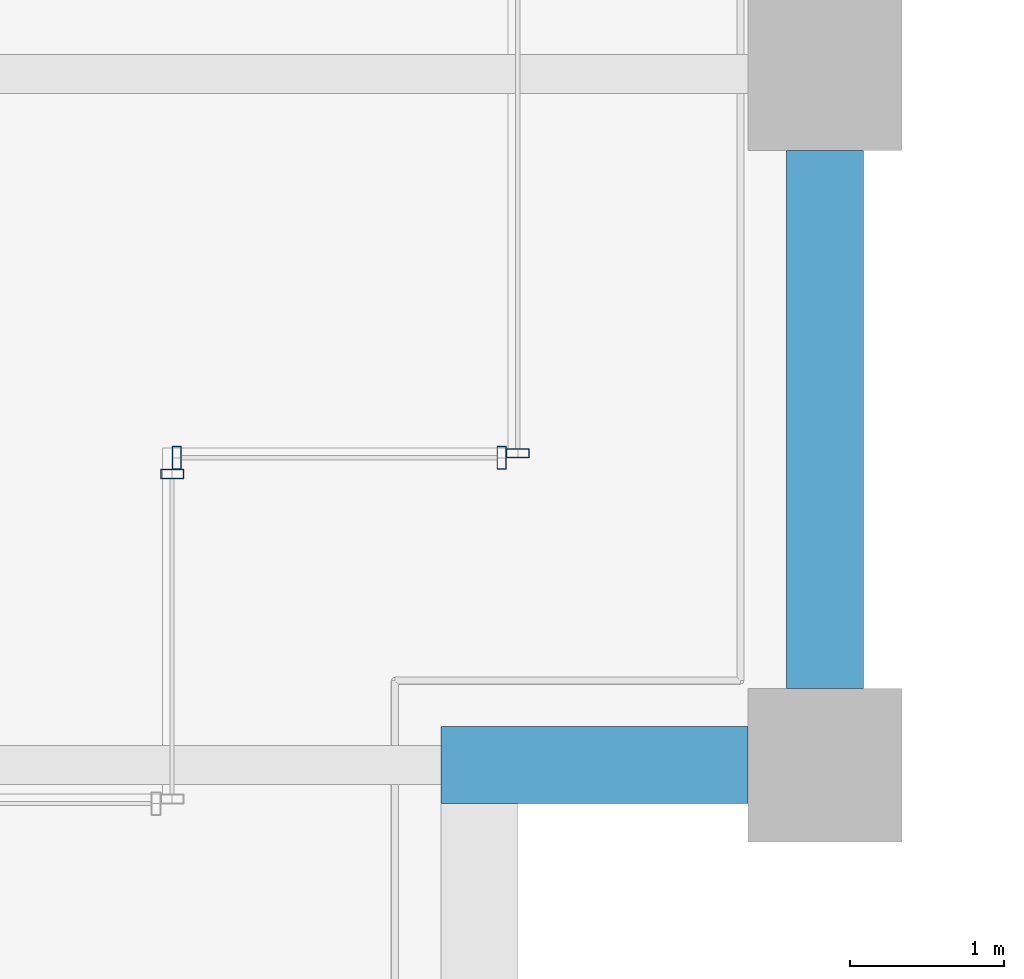
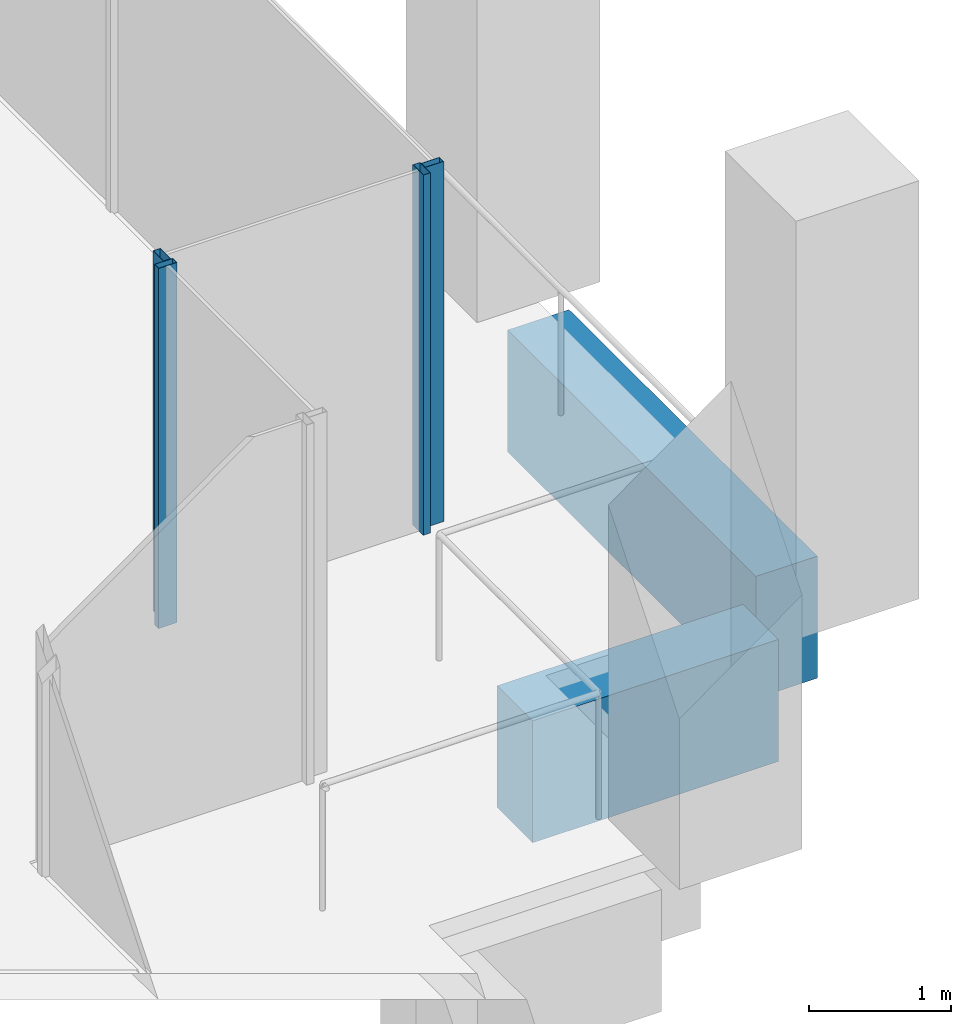
# One storey, part 13 of 45: 4 members, 2 beams, 3 elements without a shape of their own.
"""IFC4 building model written with IfcOpenShell, lengths in metres."""

from ifc_helpers import new_model, si_unit, direction, frame, origin, origin_2d, place, context, subcontext, project, spatial, rectangle, hollow_rectangle, extrude, material, material_profile, profile_set, type_object, element, aggregate, save


model = new_model("IFC4")

# Units and contexts
model_context = context("Model", 3, precision=1e-05, world=origin(), true_north=direction((0.0, 1.0)))
body_context = subcontext(model_context, "Body", "Model", "MODEL_VIEW")
ifc_project = project(units=[si_unit("LENGTHUNIT", "METRE"), si_unit("AREAUNIT", "SQUARE_METRE"), si_unit("VOLUMEUNIT", "CUBIC_METRE"), si_unit("PLANEANGLEUNIT", "RADIAN"), si_unit("MASSUNIT", "GRAM", prefix="KILO")], contexts=[model_context])

# Site, building, storey
site_placement = place(None, origin())
site = spatial("IfcSite", under=ifc_project, at=site_placement, CompositionType="ELEMENT")
building_placement = place(site_placement, origin())
building = spatial("IfcBuilding", under=site, at=building_placement, Name="Altepetl Exchange Towers", CompositionType="ELEMENT")
storey_placement = place(building_placement, frame((0.0, 0.0, 110.0)))
storey = spatial("IfcBuildingStorey", under=building, at=storey_placement, Name="L27", CompositionType="ELEMENT", Elevation=110.0)

# Curtain wall, member
ifc_material_1 = material(Name="Aluminium 6063-T6 glazing", Category="aluminium")
curtain_wall_type = type_object("IfcCurtainWallType", Name="Loggia glazing system", PredefinedType="NOTDEFINED", material=ifc_material_1)
curtain_wall_1_placement = place(storey_placement, origin())
curtain_wall_1 = element("IfcCurtainWall", 1, at=curtain_wall_1_placement, inside=storey, type_object=curtain_wall_type, Name="CW1 run", PredefinedType="NOTDEFINED")
ifc_material_2 = material(Name="Aluminium 6063-T6", Category="aluminium")
ifc_material_profile_1 = material_profile(ifc_material_2, hollow_rectangle(XDim=0.06005859375, YDim=0.14990234375, WallThickness=0.0029296875, at=origin_2d()), Name="Mullion 60x150 aluminium")
ifc_profile_set_1 = profile_set([ifc_material_profile_1], Name="Aluminium 6063-T6")
member_type = type_object("IfcMemberType", Name="Mullion 60x150 aluminium", PredefinedType="MULLION", material=ifc_profile_set_1)
member_1_placement = place(storey_placement, frame((67.75, 33.39501953125, 0.0), z_axis=(0.0, 0.0, 1.0), x_axis=(0.0, 1.0, 0.0)))
member_1 = element("IfcMember", 2, at=member_1_placement, type_object=member_type, Name="MU1 mullion", PredefinedType="MULLION", context=body_context, shape_type="SweptSolid", body=[
    extrude(hollow_rectangle(XDim=0.06005859375, YDim=0.14990234375, WallThickness=0.0029296875, at=origin_2d()), origin(), (0.0, 0.0, 1.0), 3.10009765625),
])
aggregate(curtain_wall_1, [member_1])

# Curtain wall, members
curtain_wall_2_placement = place(storey_placement, origin())
curtain_wall_2 = element("IfcCurtainWall", 3, at=curtain_wall_2_placement, inside=storey, type_object=curtain_wall_type, Name="CW1 run", PredefinedType="NOTDEFINED")
member_2_placement = place(storey_placement, frame((67.780029296875, 33.5, 0.0)))
member_2 = element("IfcMember", 4, at=member_2_placement, type_object=member_type, Name="MU1 mullion", PredefinedType="MULLION", context=body_context, shape_type="SweptSolid", body=[
    extrude(hollow_rectangle(XDim=0.06005859375, YDim=0.14990234375, WallThickness=0.0029296875, at=origin_2d()), origin(), (0.0, 0.0, 1.0), 3.10009765625),
])
member_3_placement = place(storey_placement, frame((69.89501953125, 33.5, 0.0)))
member_3 = element("IfcMember", 5, at=member_3_placement, type_object=member_type, Name="MU1 mullion", PredefinedType="MULLION", context=body_context, shape_type="SweptSolid", body=[
    extrude(hollow_rectangle(XDim=0.06005859375, YDim=0.14990234375, WallThickness=0.0029296875, at=origin_2d()), origin(), (0.0, 0.0, 1.0), 3.10009765625),
])
aggregate(curtain_wall_2, [member_2, member_3])

# Curtain wall, member
curtain_wall_3_placement = place(storey_placement, origin())
curtain_wall_3 = element("IfcCurtainWall", 6, at=curtain_wall_3_placement, inside=storey, type_object=curtain_wall_type, Name="CW1 run", PredefinedType="NOTDEFINED")
member_4_placement = place(storey_placement, frame((70.0, 33.530029296875, 0.0), z_axis=(0.0, 0.0, 1.0), x_axis=(0.0, 1.0, 0.0)))
member_4 = element("IfcMember", 7, at=member_4_placement, type_object=member_type, Name="MU1 mullion", PredefinedType="MULLION", context=body_context, shape_type="SweptSolid", body=[
    extrude(hollow_rectangle(XDim=0.06005859375, YDim=0.14990234375, WallThickness=0.0029296875, at=origin_2d()), origin(), (0.0, 0.0, 1.0), 3.10009765625),
])
aggregate(curtain_wall_3, [member_4])

# Beams
ifc_material_3 = material(Name="Concrete C50/60 precast with cantera amarilla facing", Category="concrete")
ifc_material_profile_2 = material_profile(ifc_material_3, rectangle(XDim=0.5, YDim=1.050048828125, at=origin_2d()), Name="500 x 1050")
ifc_profile_set_2 = profile_set([ifc_material_profile_2], Name="Concrete C50/60 precast with cantera amarilla facing")
beam_type = type_object("IfcBeamType", Name="Spandrel beam 500x1050 cantera amarilla", PredefinedType="SPANDREL", material=ifc_profile_set_2)
beam_1_placement = place(storey_placement, frame((69.5, 31.5, -0.675048828125), z_axis=(1.0, 0.0, 0.0), x_axis=(0.0, 1.0, 0.0)))
element("IfcBeam", 8, at=beam_1_placement, inside=storey, type_object=beam_type, Name="sp:A:L27:011", PredefinedType="SPANDREL", context=body_context, shape_type="SweptSolid", body=[
    extrude(rectangle(XDim=0.5, YDim=1.050048828125, at=origin_2d()), origin(), (0.0, 0.0, 1.0), 2.0),
])
beam_2_placement = place(storey_placement, frame((72.0, 32.0, -0.675048828125), z_axis=(0.0, 1.0, 0.0), x_axis=(-1.0, 0.0, 0.0)))
element("IfcBeam", 9, at=beam_2_placement, inside=storey, type_object=beam_type, Name="sp:A:L27:012", PredefinedType="SPANDREL", context=body_context, shape_type="SweptSolid", body=[
    extrude(rectangle(XDim=0.5, YDim=1.050048828125, at=origin_2d()), origin(), (0.0, 0.0, 1.0), 3.5),
])

save(model, "model.ifc")
